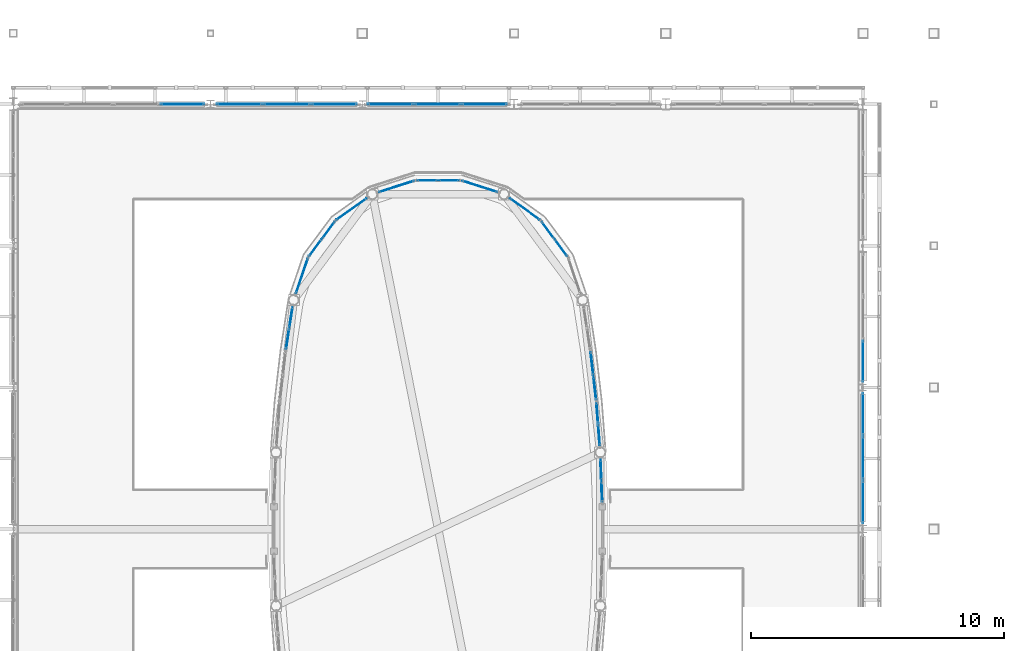
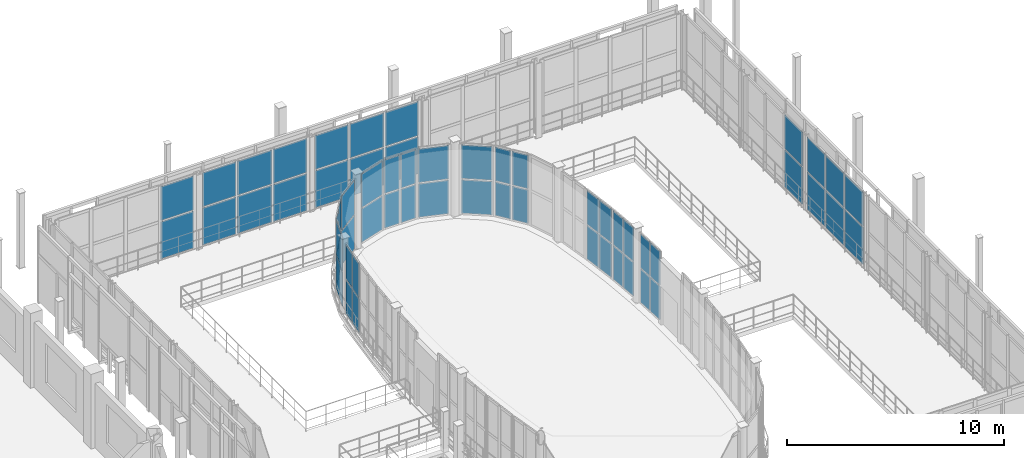
# One storey, part 83 of 121: 60 plates, 17 elements without a shape of their own.
"""IFC4 building model written with IfcOpenShell, lengths in metres."""

from ifc_helpers import new_model, si_unit, direction, frame, origin, origin_2d, place, context, subcontext, project, spatial, rectangle, extrude, material, layer, layer_set, type_object, element, aggregate, save


model = new_model("IFC4")

# Units and contexts
model_context = context("Model", 3, precision=1e-05, world=origin(), true_north=direction((0.0, 1.0)))
body_context = subcontext(model_context, "Body", "Model", "MODEL_VIEW")
ifc_project = project(units=[si_unit("LENGTHUNIT", "METRE"), si_unit("AREAUNIT", "SQUARE_METRE"), si_unit("VOLUMEUNIT", "CUBIC_METRE"), si_unit("PLANEANGLEUNIT", "RADIAN"), si_unit("MASSUNIT", "GRAM", prefix="KILO")], contexts=[model_context])

# Site, building, storey
site_placement = place(None, origin())
site = spatial("IfcSite", under=ifc_project, at=site_placement, CompositionType="ELEMENT")
building_placement = place(site_placement, origin())
building = spatial("IfcBuilding", under=site, at=building_placement, Name="Vinh Khe Railworks Police Headquarters", CompositionType="ELEMENT")
storey_placement = place(building_placement, frame((0.0, 0.0, 4.800048828125)))
storey = spatial("IfcBuildingStorey", under=building, at=storey_placement, Name="L01", CompositionType="ELEMENT", Elevation=4.800048828125)

# Curtain wall, plates
ifc_material_1 = material(Name="Anodised aluminium and acoustic laminated glass", Category="aluminium")
ifc_layer_1 = layer(ifc_material_1, 0.159912109375)
ifc_layer_set_1 = layer_set([ifc_layer_1], Name="Anodised aluminium and acoustic laminated glass")
curtain_wall_type_1 = type_object("IfcCurtainWallType", Name="CW-DRUM-CHORD", PredefinedType="USERDEFINED", material=ifc_layer_set_1)
curtain_wall_1_placement = place(storey_placement, origin())
curtain_wall_1 = element("IfcCurtainWall", 1, at=curtain_wall_1_placement, inside=storey, type_object=curtain_wall_type_1, Name="Elliptical Command Drum Glazing L01 Chord 6", ObjectType="DRUM FACADE GLAZING", PredefinedType="USERDEFINED")
ifc_material_2 = material(Name="Acoustic laminated solar-control glass", Category="glass")
ifc_layer_2 = layer(ifc_material_2, 0.031982421875)
ifc_layer_set_2 = layer_set([ifc_layer_2], Name="Acoustic laminated solar-control glass")
plate_type_1 = type_object("IfcPlateType", Name="PAN-DRUM-32", PredefinedType="CURTAIN_PANEL", material=ifc_layer_set_2)
plate_1_placement = place(storey_placement, frame((49.67236328125, 43.476806640625, 0.06494140625), z_axis=(0.0, 0.0, 1.0), x_axis=(-0.038511887338, 0.99925814209, 0.0)))
plate_1 = element("IfcPlate", 2, at=plate_1_placement, type_object=plate_type_1, Name="CW-02 panel 1.1", PredefinedType="CURTAIN_PANEL", context=body_context, shape_type="SweptSolid", body=[
    extrude(rectangle(XDim=0.802001953125, YDim=0.031982421875, at=origin_2d()), origin(), (0.0, 0.0, 1.0), 1.887451171875),
])
plate_2_placement = place(storey_placement, frame((49.67236328125, 43.476806640625, 2.017578125), z_axis=(0.0, 0.0, 1.0), x_axis=(-0.038511887338, 0.99925814209, 0.0)))
plate_2 = element("IfcPlate", 3, at=plate_2_placement, type_object=plate_type_1, Name="CW-02 panel 1.2", PredefinedType="CURTAIN_PANEL", context=body_context, shape_type="SweptSolid", body=[
    extrude(rectangle(XDim=0.802001953125, YDim=0.031982421875, at=origin_2d()), origin(), (0.0, 0.0, 1.0), 1.887451171875),
])
plate_3_placement = place(storey_placement, frame((49.638916015625, 44.34326171875, 0.06494140625), z_axis=(0.0, 0.0, 1.0), x_axis=(-0.038511887338, 0.99925814209, 0.0)))
plate_3 = element("IfcPlate", 4, at=plate_3_placement, type_object=plate_type_1, Name="CW-02 panel 2.1", PredefinedType="CURTAIN_PANEL", context=body_context, shape_type="SweptSolid", body=[
    extrude(rectangle(XDim=0.802001953125, YDim=0.031982421875, at=origin_2d()), origin(), (0.0, 0.0, 1.0), 1.887451171875),
])
plate_4_placement = place(storey_placement, frame((49.638916015625, 44.34326171875, 2.017578125), z_axis=(0.0, 0.0, 1.0), x_axis=(-0.038511887338, 0.99925814209, 0.0)))
plate_4 = element("IfcPlate", 5, at=plate_4_placement, type_object=plate_type_1, Name="CW-02 panel 2.2", PredefinedType="CURTAIN_PANEL", context=body_context, shape_type="SweptSolid", body=[
    extrude(rectangle(XDim=0.802001953125, YDim=0.031982421875, at=origin_2d()), origin(), (0.0, 0.0, 1.0), 1.887451171875),
])
aggregate(curtain_wall_1, [plate_1, plate_2, plate_3, plate_4])

curtain_wall_2_placement = place(storey_placement, origin())
curtain_wall_2 = element("IfcCurtainWall", 6, at=curtain_wall_2_placement, inside=storey, type_object=curtain_wall_type_1, Name="Elliptical Command Drum Glazing L01 Chord 7", ObjectType="DRUM FACADE GLAZING", PredefinedType="USERDEFINED")
plate_5_placement = place(storey_placement, frame((49.559326171875, 45.71923828125, 0.06494140625), z_axis=(0.0, 0.0, 1.0), x_axis=(-0.076971908223, 0.997033261905, 0.0)))
plate_5 = element("IfcPlate", 7, at=plate_5_placement, type_object=plate_type_1, Name="CW-02 panel 1.1", PredefinedType="CURTAIN_PANEL", context=body_context, shape_type="SweptSolid", body=[
    extrude(rectangle(XDim=0.802001953125, YDim=0.031982421875, at=origin_2d()), origin(), (0.0, 0.0, 1.0), 1.887451171875),
])
plate_6_placement = place(storey_placement, frame((49.559326171875, 45.71923828125, 2.017578125), z_axis=(0.0, 0.0, 1.0), x_axis=(-0.076971908223, 0.997033261905, 0.0)))
plate_6 = element("IfcPlate", 8, at=plate_6_placement, type_object=plate_type_1, Name="CW-02 panel 1.2", PredefinedType="CURTAIN_PANEL", context=body_context, shape_type="SweptSolid", body=[
    extrude(rectangle(XDim=0.802001953125, YDim=0.031982421875, at=origin_2d()), origin(), (0.0, 0.0, 1.0), 1.887451171875),
])
plate_7_placement = place(storey_placement, frame((49.49267578125, 46.583740234375, 0.06494140625), z_axis=(0.0, 0.0, 1.0), x_axis=(-0.076971908223, 0.997033261905, 0.0)))
plate_7 = element("IfcPlate", 9, at=plate_7_placement, type_object=plate_type_1, Name="CW-02 panel 2.1", PredefinedType="CURTAIN_PANEL", context=body_context, shape_type="SweptSolid", body=[
    extrude(rectangle(XDim=0.802001953125, YDim=0.031982421875, at=origin_2d()), origin(), (0.0, 0.0, 1.0), 1.887451171875),
])
plate_8_placement = place(storey_placement, frame((49.49267578125, 46.583740234375, 2.017578125), z_axis=(0.0, 0.0, 1.0), x_axis=(-0.076971908223, 0.997033261905, 0.0)))
plate_8 = element("IfcPlate", 10, at=plate_8_placement, type_object=plate_type_1, Name="CW-02 panel 2.2", PredefinedType="CURTAIN_PANEL", context=body_context, shape_type="SweptSolid", body=[
    extrude(rectangle(XDim=0.802001953125, YDim=0.031982421875, at=origin_2d()), origin(), (0.0, 0.0, 1.0), 1.887451171875),
])
aggregate(curtain_wall_2, [plate_5, plate_6, plate_7, plate_8])

curtain_wall_3_placement = place(storey_placement, origin())
curtain_wall_3 = element("IfcCurtainWall", 11, at=curtain_wall_3_placement, inside=storey, type_object=curtain_wall_type_1, Name="Elliptical Command Drum Glazing L01 Chord 8", ObjectType="DRUM FACADE GLAZING", PredefinedType="USERDEFINED")
plate_9_placement = place(storey_placement, frame((49.396484375, 47.56689453125, 0.06494140625), z_axis=(0.0, 0.0, 1.0), x_axis=(-0.115317737498, 0.993328656296, 0.0)))
plate_9 = element("IfcPlate", 12, at=plate_9_placement, type_object=plate_type_1, Name="CW-02 panel 1.1", PredefinedType="CURTAIN_PANEL", context=body_context, shape_type="SweptSolid", body=[
    extrude(rectangle(XDim=0.913818359375, YDim=0.031982421875, at=origin_2d()), origin(), (0.0, 0.0, 1.0), 1.887451171875),
])
plate_10_placement = place(storey_placement, frame((49.396484375, 47.56689453125, 2.017578125), z_axis=(0.0, 0.0, 1.0), x_axis=(-0.115317737498, 0.993328656296, 0.0)))
plate_10 = element("IfcPlate", 13, at=plate_10_placement, type_object=plate_type_1, Name="CW-02 panel 1.2", PredefinedType="CURTAIN_PANEL", context=body_context, shape_type="SweptSolid", body=[
    extrude(rectangle(XDim=0.913818359375, YDim=0.031982421875, at=origin_2d()), origin(), (0.0, 0.0, 1.0), 1.887451171875),
])
plate_11_placement = place(storey_placement, frame((49.28369140625, 48.5390625, 0.06494140625), z_axis=(0.0, 0.0, 1.0), x_axis=(-0.115317737498, 0.993328656296, 0.0)))
plate_11 = element("IfcPlate", 14, at=plate_11_placement, type_object=plate_type_1, Name="CW-02 panel 2.1", PredefinedType="CURTAIN_PANEL", context=body_context, shape_type="SweptSolid", body=[
    extrude(rectangle(XDim=0.913818359375, YDim=0.031982421875, at=origin_2d()), origin(), (0.0, 0.0, 1.0), 1.887451171875),
])
plate_12_placement = place(storey_placement, frame((49.28369140625, 48.5390625, 2.017578125), z_axis=(0.0, 0.0, 1.0), x_axis=(-0.115317737498, 0.993328656296, 0.0)))
plate_12 = element("IfcPlate", 15, at=plate_12_placement, type_object=plate_type_1, Name="CW-02 panel 2.2", PredefinedType="CURTAIN_PANEL", context=body_context, shape_type="SweptSolid", body=[
    extrude(rectangle(XDim=0.913818359375, YDim=0.031982421875, at=origin_2d()), origin(), (0.0, 0.0, 1.0), 1.887451171875),
])
aggregate(curtain_wall_3, [plate_9, plate_10, plate_11, plate_12])

curtain_wall_4_placement = place(storey_placement, origin())
curtain_wall_4 = element("IfcCurtainWall", 16, at=curtain_wall_4_placement, inside=storey, type_object=curtain_wall_type_1, Name="Elliptical Command Drum Glazing L01 Chord 11", ObjectType="DRUM FACADE GLAZING", PredefinedType="USERDEFINED")
plate_13_placement = place(storey_placement, frame((48.056884765625, 53.126708984375, 0.06494140625), z_axis=(0.0, 0.0, 1.0), x_axis=(-0.596528425784, 0.802591949394, 0.0)))
plate_13 = element("IfcPlate", 17, at=plate_13_placement, type_object=plate_type_1, Name="CW-02 panel 1.1", PredefinedType="CURTAIN_PANEL", context=body_context, shape_type="SweptSolid", body=[
    extrude(rectangle(XDim=0.799560546875, YDim=0.031982421875, at=origin_2d()), origin(), (0.0, 0.0, 1.0), 1.887451171875),
])
plate_14_placement = place(storey_placement, frame((48.056884765625, 53.126708984375, 2.017578125), z_axis=(0.0, 0.0, 1.0), x_axis=(-0.596528425784, 0.802591949394, 0.0)))
plate_14 = element("IfcPlate", 18, at=plate_14_placement, type_object=plate_type_1, Name="CW-02 panel 1.2", PredefinedType="CURTAIN_PANEL", context=body_context, shape_type="SweptSolid", body=[
    extrude(rectangle(XDim=0.799560546875, YDim=0.031982421875, at=origin_2d()), origin(), (0.0, 0.0, 1.0), 1.887451171875),
])
plate_15_placement = place(storey_placement, frame((47.541259765625, 53.820556640625, 0.06494140625), z_axis=(0.0, 0.0, 1.0), x_axis=(-0.596528425784, 0.802591949394, 0.0)))
plate_15 = element("IfcPlate", 19, at=plate_15_placement, type_object=plate_type_1, Name="CW-02 panel 2.1", PredefinedType="CURTAIN_PANEL", context=body_context, shape_type="SweptSolid", body=[
    extrude(rectangle(XDim=0.799560546875, YDim=0.031982421875, at=origin_2d()), origin(), (0.0, 0.0, 1.0), 1.887451171875),
])
plate_16_placement = place(storey_placement, frame((47.541259765625, 53.820556640625, 2.017578125), z_axis=(0.0, 0.0, 1.0), x_axis=(-0.596528425784, 0.802591949394, 0.0)))
plate_16 = element("IfcPlate", 20, at=plate_16_placement, type_object=plate_type_1, Name="CW-02 panel 2.2", PredefinedType="CURTAIN_PANEL", context=body_context, shape_type="SweptSolid", body=[
    extrude(rectangle(XDim=0.799560546875, YDim=0.031982421875, at=origin_2d()), origin(), (0.0, 0.0, 1.0), 1.887451171875),
])
aggregate(curtain_wall_4, [plate_13, plate_14, plate_15, plate_16])

curtain_wall_5_placement = place(storey_placement, origin())
curtain_wall_5 = element("IfcCurtainWall", 21, at=curtain_wall_5_placement, inside=storey, type_object=curtain_wall_type_1, Name="Elliptical Command Drum Glazing L01 Chord 12", ObjectType="DRUM FACADE GLAZING", PredefinedType="USERDEFINED")
plate_17_placement = place(storey_placement, frame((46.625244140625, 54.650634765625, 0.06494140625), z_axis=(0.0, 0.0, 1.0), x_axis=(-0.813248377558, 0.581916726344, 0.0)))
plate_17 = element("IfcPlate", 22, at=plate_17_placement, type_object=plate_type_1, Name="CW-02 panel 1.1", PredefinedType="CURTAIN_PANEL", context=body_context, shape_type="SweptSolid", body=[
    extrude(rectangle(XDim=1.440673828125, YDim=0.031982421875, at=origin_2d()), origin(), (0.0, 0.0, 1.0), 1.887451171875),
])
plate_18_placement = place(storey_placement, frame((46.625244140625, 54.650634765625, 2.017578125), z_axis=(0.0, 0.0, 1.0), x_axis=(-0.813248377558, 0.581916726344, 0.0)))
plate_18 = element("IfcPlate", 23, at=plate_18_placement, type_object=plate_type_1, Name="CW-02 panel 1.2", PredefinedType="CURTAIN_PANEL", context=body_context, shape_type="SweptSolid", body=[
    extrude(rectangle(XDim=1.440673828125, YDim=0.031982421875, at=origin_2d()), origin(), (0.0, 0.0, 1.0), 1.887451171875),
])
aggregate(curtain_wall_5, [plate_17, plate_18])

curtain_wall_6_placement = place(storey_placement, origin())
curtain_wall_6 = element("IfcCurtainWall", 24, at=curtain_wall_6_placement, inside=storey, type_object=curtain_wall_type_1, Name="Elliptical Command Drum Glazing L01 Chord 13", ObjectType="DRUM FACADE GLAZING", PredefinedType="USERDEFINED")
plate_19_placement = place(storey_placement, frame((44.8447265625, 55.545654296875, 0.06494140625), z_axis=(0.0, 0.0, 1.0), x_axis=(-0.952167898055, 0.305575348994, 0.0)))
plate_19 = element("IfcPlate", 25, at=plate_19_placement, type_object=plate_type_1, Name="CW-02 panel 1.1", PredefinedType="CURTAIN_PANEL", context=body_context, shape_type="SweptSolid", body=[
    extrude(rectangle(XDim=1.440673828125, YDim=0.031982421875, at=origin_2d()), origin(), (0.0, 0.0, 1.0), 1.887451171875),
])
plate_20_placement = place(storey_placement, frame((44.8447265625, 55.545654296875, 2.017578125), z_axis=(0.0, 0.0, 1.0), x_axis=(-0.952167898055, 0.305575348994, 0.0)))
plate_20 = element("IfcPlate", 26, at=plate_20_placement, type_object=plate_type_1, Name="CW-02 panel 1.2", PredefinedType="CURTAIN_PANEL", context=body_context, shape_type="SweptSolid", body=[
    extrude(rectangle(XDim=1.440673828125, YDim=0.031982421875, at=origin_2d()), origin(), (0.0, 0.0, 1.0), 1.887451171875),
])
aggregate(curtain_wall_6, [plate_19, plate_20])

curtain_wall_7_placement = place(storey_placement, origin())
curtain_wall_7 = element("IfcCurtainWall", 27, at=curtain_wall_7_placement, inside=storey, type_object=curtain_wall_type_1, Name="Elliptical Command Drum Glazing L01 Chord 14", ObjectType="DRUM FACADE GLAZING", PredefinedType="USERDEFINED")
plate_21_placement = place(storey_placement, frame((43.63232421875, 55.78564453125, 0.06494140625), z_axis=(0.0, 0.0, 1.0), x_axis=(-1.0, 0.0, 0.0)))
plate_21 = element("IfcPlate", 28, at=plate_21_placement, type_object=plate_type_1, Name="CW-02 panel 1.1", PredefinedType="CURTAIN_PANEL", context=body_context, shape_type="SweptSolid", body=[
    extrude(rectangle(XDim=0.799560546875, YDim=0.031982421875, at=origin_2d()), origin(), (0.0, 0.0, 1.0), 1.887451171875),
])
plate_22_placement = place(storey_placement, frame((43.63232421875, 55.78564453125, 2.017578125), z_axis=(0.0, 0.0, 1.0), x_axis=(-1.0, 0.0, 0.0)))
plate_22 = element("IfcPlate", 29, at=plate_22_placement, type_object=plate_type_1, Name="CW-02 panel 1.2", PredefinedType="CURTAIN_PANEL", context=body_context, shape_type="SweptSolid", body=[
    extrude(rectangle(XDim=0.799560546875, YDim=0.031982421875, at=origin_2d()), origin(), (0.0, 0.0, 1.0), 1.887451171875),
])
plate_23_placement = place(storey_placement, frame((42.767822265625, 55.78564453125, 0.06494140625), z_axis=(0.0, 0.0, 1.0), x_axis=(-1.0, 0.0, 0.0)))
plate_23 = element("IfcPlate", 30, at=plate_23_placement, type_object=plate_type_1, Name="CW-02 panel 2.1", PredefinedType="CURTAIN_PANEL", context=body_context, shape_type="SweptSolid", body=[
    extrude(rectangle(XDim=0.799560546875, YDim=0.031982421875, at=origin_2d()), origin(), (0.0, 0.0, 1.0), 1.887451171875),
])
plate_24_placement = place(storey_placement, frame((42.767822265625, 55.78564453125, 2.017578125), z_axis=(0.0, 0.0, 1.0), x_axis=(-1.0, 0.0, 0.0)))
plate_24 = element("IfcPlate", 31, at=plate_24_placement, type_object=plate_type_1, Name="CW-02 panel 2.2", PredefinedType="CURTAIN_PANEL", context=body_context, shape_type="SweptSolid", body=[
    extrude(rectangle(XDim=0.799560546875, YDim=0.031982421875, at=origin_2d()), origin(), (0.0, 0.0, 1.0), 1.887451171875),
])
aggregate(curtain_wall_7, [plate_21, plate_22, plate_23, plate_24])

curtain_wall_8_placement = place(storey_placement, origin())
curtain_wall_8 = element("IfcCurtainWall", 32, at=curtain_wall_8_placement, inside=storey, type_object=curtain_wall_type_1, Name="Elliptical Command Drum Glazing L01 Chord 15", ObjectType="DRUM FACADE GLAZING", PredefinedType="USERDEFINED")
plate_25_placement = place(storey_placement, frame((41.55517578125, 55.545654296875, 0.06494140625), z_axis=(0.0, 0.0, 1.0), x_axis=(-0.952167898055, -0.305575348994, 0.0)))
plate_25 = element("IfcPlate", 33, at=plate_25_placement, type_object=plate_type_1, Name="CW-02 panel 1.1", PredefinedType="CURTAIN_PANEL", context=body_context, shape_type="SweptSolid", body=[
    extrude(rectangle(XDim=1.440673828125, YDim=0.031982421875, at=origin_2d()), origin(), (0.0, 0.0, 1.0), 1.887451171875),
])
plate_26_placement = place(storey_placement, frame((41.55517578125, 55.545654296875, 2.017578125), z_axis=(0.0, 0.0, 1.0), x_axis=(-0.952167898055, -0.305575348994, 0.0)))
plate_26 = element("IfcPlate", 34, at=plate_26_placement, type_object=plate_type_1, Name="CW-02 panel 1.2", PredefinedType="CURTAIN_PANEL", context=body_context, shape_type="SweptSolid", body=[
    extrude(rectangle(XDim=1.440673828125, YDim=0.031982421875, at=origin_2d()), origin(), (0.0, 0.0, 1.0), 1.887451171875),
])
aggregate(curtain_wall_8, [plate_25, plate_26])

curtain_wall_9_placement = place(storey_placement, origin())
curtain_wall_9 = element("IfcCurtainWall", 35, at=curtain_wall_9_placement, inside=storey, type_object=curtain_wall_type_1, Name="Elliptical Command Drum Glazing L01 Chord 16", ObjectType="DRUM FACADE GLAZING", PredefinedType="USERDEFINED")
plate_27_placement = place(storey_placement, frame((39.774658203125, 54.650634765625, 0.06494140625), z_axis=(0.0, 0.0, 1.0), x_axis=(-0.813248377558, -0.581916726344, 0.0)))
plate_27 = element("IfcPlate", 36, at=plate_27_placement, type_object=plate_type_1, Name="CW-02 panel 1.1", PredefinedType="CURTAIN_PANEL", context=body_context, shape_type="SweptSolid", body=[
    extrude(rectangle(XDim=1.440673828125, YDim=0.031982421875, at=origin_2d()), origin(), (0.0, 0.0, 1.0), 1.887451171875),
])
plate_28_placement = place(storey_placement, frame((39.774658203125, 54.650634765625, 2.017578125), z_axis=(0.0, 0.0, 1.0), x_axis=(-0.813248377558, -0.581916726344, 0.0)))
plate_28 = element("IfcPlate", 37, at=plate_28_placement, type_object=plate_type_1, Name="CW-02 panel 1.2", PredefinedType="CURTAIN_PANEL", context=body_context, shape_type="SweptSolid", body=[
    extrude(rectangle(XDim=1.440673828125, YDim=0.031982421875, at=origin_2d()), origin(), (0.0, 0.0, 1.0), 1.887451171875),
])
aggregate(curtain_wall_9, [plate_27, plate_28])

curtain_wall_10_placement = place(storey_placement, origin())
curtain_wall_10 = element("IfcCurtainWall", 38, at=curtain_wall_10_placement, inside=storey, type_object=curtain_wall_type_1, Name="Elliptical Command Drum Glazing L01 Chord 17", ObjectType="DRUM FACADE GLAZING", PredefinedType="USERDEFINED")
plate_29_placement = place(storey_placement, frame((38.85888671875, 53.820556640625, 0.06494140625), z_axis=(0.0, 0.0, 1.0), x_axis=(-0.596528425784, -0.802591949394, 0.0)))
plate_29 = element("IfcPlate", 39, at=plate_29_placement, type_object=plate_type_1, Name="CW-02 panel 1.1", PredefinedType="CURTAIN_PANEL", context=body_context, shape_type="SweptSolid", body=[
    extrude(rectangle(XDim=0.799560546875, YDim=0.031982421875, at=origin_2d()), origin(), (0.0, 0.0, 1.0), 1.887451171875),
])
plate_30_placement = place(storey_placement, frame((38.85888671875, 53.820556640625, 2.017578125), z_axis=(0.0, 0.0, 1.0), x_axis=(-0.596528425784, -0.802591949394, 0.0)))
plate_30 = element("IfcPlate", 40, at=plate_30_placement, type_object=plate_type_1, Name="CW-02 panel 1.2", PredefinedType="CURTAIN_PANEL", context=body_context, shape_type="SweptSolid", body=[
    extrude(rectangle(XDim=0.799560546875, YDim=0.031982421875, at=origin_2d()), origin(), (0.0, 0.0, 1.0), 1.887451171875),
])
plate_31_placement = place(storey_placement, frame((38.34326171875, 53.126708984375, 0.06494140625), z_axis=(0.0, 0.0, 1.0), x_axis=(-0.596528425784, -0.802591949394, 0.0)))
plate_31 = element("IfcPlate", 41, at=plate_31_placement, type_object=plate_type_1, Name="CW-02 panel 2.1", PredefinedType="CURTAIN_PANEL", context=body_context, shape_type="SweptSolid", body=[
    extrude(rectangle(XDim=0.799560546875, YDim=0.031982421875, at=origin_2d()), origin(), (0.0, 0.0, 1.0), 1.887451171875),
])
plate_32_placement = place(storey_placement, frame((38.34326171875, 53.126708984375, 2.017578125), z_axis=(0.0, 0.0, 1.0), x_axis=(-0.596528425784, -0.802591949394, 0.0)))
plate_32 = element("IfcPlate", 42, at=plate_32_placement, type_object=plate_type_1, Name="CW-02 panel 2.2", PredefinedType="CURTAIN_PANEL", context=body_context, shape_type="SweptSolid", body=[
    extrude(rectangle(XDim=0.799560546875, YDim=0.031982421875, at=origin_2d()), origin(), (0.0, 0.0, 1.0), 1.887451171875),
])
aggregate(curtain_wall_10, [plate_29, plate_30, plate_31, plate_32])

curtain_wall_11_placement = place(storey_placement, origin())
curtain_wall_11 = element("IfcCurtainWall", 43, at=curtain_wall_11_placement, inside=storey, type_object=curtain_wall_type_1, Name="Elliptical Command Drum Glazing L01 Chord 18", ObjectType="DRUM FACADE GLAZING", PredefinedType="USERDEFINED")
plate_33_placement = place(storey_placement, frame((37.8125, 52.010498046875, 0.06494140625), z_axis=(0.0, 0.0, 1.0), x_axis=(-0.322750407381, -0.946484112141, 0.0)))
plate_33 = element("IfcPlate", 44, at=plate_33_placement, type_object=plate_type_1, Name="CW-02 panel 1.1", PredefinedType="CURTAIN_PANEL", context=body_context, shape_type="SweptSolid", body=[
    extrude(rectangle(XDim=1.440673828125, YDim=0.031982421875, at=origin_2d()), origin(), (0.0, 0.0, 1.0), 1.887451171875),
])
plate_34_placement = place(storey_placement, frame((37.8125, 52.010498046875, 2.017578125), z_axis=(0.0, 0.0, 1.0), x_axis=(-0.322750407381, -0.946484112141, 0.0)))
plate_34 = element("IfcPlate", 45, at=plate_34_placement, type_object=plate_type_1, Name="CW-02 panel 1.2", PredefinedType="CURTAIN_PANEL", context=body_context, shape_type="SweptSolid", body=[
    extrude(rectangle(XDim=1.440673828125, YDim=0.031982421875, at=origin_2d()), origin(), (0.0, 0.0, 1.0), 1.887451171875),
])
aggregate(curtain_wall_11, [plate_33, plate_34])

curtain_wall_12_placement = place(storey_placement, origin())
curtain_wall_12 = element("IfcCurtainWall", 46, at=curtain_wall_12_placement, inside=storey, type_object=curtain_wall_type_1, Name="Elliptical Command Drum Glazing L01 Chord 19", ObjectType="DRUM FACADE GLAZING", PredefinedType="USERDEFINED")
plate_35_placement = place(storey_placement, frame((37.381103515625, 50.374755859375, 0.06494140625), z_axis=(0.0, 0.0, 1.0), x_axis=(-0.153489573502, -0.988150267331, 0.0)))
plate_35 = element("IfcPlate", 47, at=plate_35_placement, type_object=plate_type_1, Name="CW-02 panel 1.1", PredefinedType="CURTAIN_PANEL", context=body_context, shape_type="SweptSolid", body=[
    extrude(rectangle(XDim=0.802001953125, YDim=0.031982421875, at=origin_2d()), origin(), (0.0, 0.0, 1.0), 1.887451171875),
])
plate_36_placement = place(storey_placement, frame((37.381103515625, 50.374755859375, 2.017578125), z_axis=(0.0, 0.0, 1.0), x_axis=(-0.153489573502, -0.988150267331, 0.0)))
plate_36 = element("IfcPlate", 48, at=plate_36_placement, type_object=plate_type_1, Name="CW-02 panel 1.2", PredefinedType="CURTAIN_PANEL", context=body_context, shape_type="SweptSolid", body=[
    extrude(rectangle(XDim=0.802001953125, YDim=0.031982421875, at=origin_2d()), origin(), (0.0, 0.0, 1.0), 1.887451171875),
])
plate_37_placement = place(storey_placement, frame((37.248046875, 49.51806640625, 0.06494140625), z_axis=(0.0, 0.0, 1.0), x_axis=(-0.153489573502, -0.988150267331, 0.0)))
plate_37 = element("IfcPlate", 49, at=plate_37_placement, type_object=plate_type_1, Name="CW-02 panel 2.1", PredefinedType="CURTAIN_PANEL", context=body_context, shape_type="SweptSolid", body=[
    extrude(rectangle(XDim=0.802001953125, YDim=0.031982421875, at=origin_2d()), origin(), (0.0, 0.0, 1.0), 1.887451171875),
])
plate_38_placement = place(storey_placement, frame((37.248046875, 49.51806640625, 2.017578125), z_axis=(0.0, 0.0, 1.0), x_axis=(-0.153489573502, -0.988150267331, 0.0)))
plate_38 = element("IfcPlate", 50, at=plate_38_placement, type_object=plate_type_1, Name="CW-02 panel 2.2", PredefinedType="CURTAIN_PANEL", context=body_context, shape_type="SweptSolid", body=[
    extrude(rectangle(XDim=0.802001953125, YDim=0.031982421875, at=origin_2d()), origin(), (0.0, 0.0, 1.0), 1.887451171875),
])
aggregate(curtain_wall_12, [plate_35, plate_36, plate_37, plate_38])

ifc_material_3 = material(Name="Anodised aluminium and low-iron glass", Category="aluminium")
ifc_layer_3 = layer(ifc_material_3, 0.179931640625)
ifc_layer_set_3 = layer_set([ifc_layer_3], Name="Anodised aluminium and low-iron glass")
curtain_wall_type_2 = type_object("IfcCurtainWallType", Name="CW-CUBE-UNIT", PredefinedType="USERDEFINED", material=ifc_layer_set_3)
curtain_wall_13_placement = place(storey_placement, origin())
curtain_wall_13 = element("IfcCurtainWall", 51, at=curtain_wall_13_placement, inside=storey, type_object=curtain_wall_type_2, Name="Entrance Hall Curtain Wall L01 N-1", ObjectType="UNITISED GLAZING", PredefinedType="USERDEFINED")
ifc_material_4 = material(Name="Low-iron laminated solar-control glass", Category="glass")
ifc_layer_4 = layer(ifc_material_4, 0.028076171875)
ifc_layer_set_4 = layer_set([ifc_layer_4], Name="Low-iron laminated solar-control glass")
plate_type_2 = type_object("IfcPlateType", Name="PAN-GLZ-28", PredefinedType="CURTAIN_PANEL", material=ifc_layer_set_4)
plate_39_placement = place(storey_placement, frame((33.091796875, 58.800048828125, 0.06982421875), z_axis=(0.0, 0.0, 1.0), x_axis=(1.0, 0.0, 0.0)))
plate_39 = element("IfcPlate", 52, at=plate_39_placement, type_object=plate_type_2, Name="CW-01 panel 4.1", PredefinedType="CURTAIN_PANEL", context=body_context, shape_type="SweptSolid", body=[
    extrude(rectangle(XDim=1.736328125, YDim=0.028076171875, at=origin_2d()), origin(), (0.0, 0.0, 1.0), 2.0791015625),
])
plate_40_placement = place(storey_placement, frame((33.091796875, 58.800048828125, 2.21923828125), z_axis=(0.0, 0.0, 1.0), x_axis=(1.0, 0.0, 0.0)))
plate_40 = element("IfcPlate", 53, at=plate_40_placement, type_object=plate_type_2, Name="CW-01 panel 4.2", PredefinedType="CURTAIN_PANEL", context=body_context, shape_type="SweptSolid", body=[
    extrude(rectangle(XDim=1.736328125, YDim=0.028076171875, at=origin_2d()), origin(), (0.0, 0.0, 1.0), 1.910888671875),
])
aggregate(curtain_wall_13, [plate_39, plate_40])

curtain_wall_14_placement = place(storey_placement, origin())
curtain_wall_14 = element("IfcCurtainWall", 54, at=curtain_wall_14_placement, inside=storey, type_object=curtain_wall_type_2, Name="Entrance Hall Curtain Wall L01 N-2", ObjectType="UNITISED GLAZING", PredefinedType="USERDEFINED")
plate_41_placement = place(storey_placement, frame((35.334228515625, 58.800048828125, 0.06982421875), z_axis=(0.0, 0.0, 1.0), x_axis=(1.0, 0.0, 0.0)))
plate_41 = element("IfcPlate", 55, at=plate_41_placement, type_object=plate_type_2, Name="CW-01 panel 1.1", PredefinedType="CURTAIN_PANEL", context=body_context, shape_type="SweptSolid", body=[
    extrude(rectangle(XDim=1.788330078125, YDim=0.028076171875, at=origin_2d()), origin(), (0.0, 0.0, 1.0), 2.0791015625),
])
plate_42_placement = place(storey_placement, frame((35.334228515625, 58.800048828125, 2.21923828125), z_axis=(0.0, 0.0, 1.0), x_axis=(1.0, 0.0, 0.0)))
plate_42 = element("IfcPlate", 56, at=plate_42_placement, type_object=plate_type_2, Name="CW-01 panel 1.2", PredefinedType="CURTAIN_PANEL", context=body_context, shape_type="SweptSolid", body=[
    extrude(rectangle(XDim=1.788330078125, YDim=0.028076171875, at=origin_2d()), origin(), (0.0, 0.0, 1.0), 1.910888671875),
])
plate_43_placement = place(storey_placement, frame((37.2099609375, 58.800048828125, 0.06982421875), z_axis=(0.0, 0.0, 1.0), x_axis=(1.0, 0.0, 0.0)))
plate_43 = element("IfcPlate", 57, at=plate_43_placement, type_object=plate_type_2, Name="CW-01 panel 2.1", PredefinedType="CURTAIN_PANEL", context=body_context, shape_type="SweptSolid", body=[
    extrude(rectangle(XDim=1.8232421875, YDim=0.028076171875, at=origin_2d()), origin(), (0.0, 0.0, 1.0), 2.0791015625),
])
plate_44_placement = place(storey_placement, frame((37.2099609375, 58.800048828125, 2.21923828125), z_axis=(0.0, 0.0, 1.0), x_axis=(1.0, 0.0, 0.0)))
plate_44 = element("IfcPlate", 58, at=plate_44_placement, type_object=plate_type_2, Name="CW-01 panel 2.2", PredefinedType="CURTAIN_PANEL", context=body_context, shape_type="SweptSolid", body=[
    extrude(rectangle(XDim=1.8232421875, YDim=0.028076171875, at=origin_2d()), origin(), (0.0, 0.0, 1.0), 1.910888671875),
])
plate_45_placement = place(storey_placement, frame((39.0859375, 58.800048828125, 0.06982421875), z_axis=(0.0, 0.0, 1.0), x_axis=(1.0, 0.0, 0.0)))
plate_45 = element("IfcPlate", 59, at=plate_45_placement, type_object=plate_type_2, Name="CW-01 panel 3.1", PredefinedType="CURTAIN_PANEL", context=body_context, shape_type="SweptSolid", body=[
    extrude(rectangle(XDim=1.788330078125, YDim=0.028076171875, at=origin_2d()), origin(), (0.0, 0.0, 1.0), 2.0791015625),
])
plate_46_placement = place(storey_placement, frame((39.0859375, 58.800048828125, 2.21923828125), z_axis=(0.0, 0.0, 1.0), x_axis=(1.0, 0.0, 0.0)))
plate_46 = element("IfcPlate", 60, at=plate_46_placement, type_object=plate_type_2, Name="CW-01 panel 3.2", PredefinedType="CURTAIN_PANEL", context=body_context, shape_type="SweptSolid", body=[
    extrude(rectangle(XDim=1.788330078125, YDim=0.028076171875, at=origin_2d()), origin(), (0.0, 0.0, 1.0), 1.910888671875),
])
aggregate(curtain_wall_14, [plate_41, plate_42, plate_43, plate_44, plate_45, plate_46])

curtain_wall_15_placement = place(storey_placement, origin())
curtain_wall_15 = element("IfcCurtainWall", 61, at=curtain_wall_15_placement, inside=storey, type_object=curtain_wall_type_2, Name="Entrance Hall Curtain Wall L01 N-3", ObjectType="UNITISED GLAZING", PredefinedType="USERDEFINED")
plate_47_placement = place(storey_placement, frame((41.306640625, 58.800048828125, 0.06982421875), z_axis=(0.0, 0.0, 1.0), x_axis=(1.0, 0.0, 0.0)))
plate_47 = element("IfcPlate", 62, at=plate_47_placement, type_object=plate_type_2, Name="CW-01 panel 1.1", PredefinedType="CURTAIN_PANEL", context=body_context, shape_type="SweptSolid", body=[
    extrude(rectangle(XDim=1.7734375, YDim=0.028076171875, at=origin_2d()), origin(), (0.0, 0.0, 1.0), 2.0791015625),
])
plate_48_placement = place(storey_placement, frame((41.306640625, 58.800048828125, 2.21923828125), z_axis=(0.0, 0.0, 1.0), x_axis=(1.0, 0.0, 0.0)))
plate_48 = element("IfcPlate", 63, at=plate_48_placement, type_object=plate_type_2, Name="CW-01 panel 1.2", PredefinedType="CURTAIN_PANEL", context=body_context, shape_type="SweptSolid", body=[
    extrude(rectangle(XDim=1.7734375, YDim=0.028076171875, at=origin_2d()), origin(), (0.0, 0.0, 1.0), 1.910888671875),
])
plate_49_placement = place(storey_placement, frame((43.16748046875, 58.800048828125, 0.06982421875), z_axis=(0.0, 0.0, 1.0), x_axis=(1.0, 0.0, 0.0)))
plate_49 = element("IfcPlate", 64, at=plate_49_placement, type_object=plate_type_2, Name="CW-01 panel 2.1", PredefinedType="CURTAIN_PANEL", context=body_context, shape_type="SweptSolid", body=[
    extrude(rectangle(XDim=1.808349609375, YDim=0.028076171875, at=origin_2d()), origin(), (0.0, 0.0, 1.0), 2.0791015625),
])
plate_50_placement = place(storey_placement, frame((43.16748046875, 58.800048828125, 2.21923828125), z_axis=(0.0, 0.0, 1.0), x_axis=(1.0, 0.0, 0.0)))
plate_50 = element("IfcPlate", 65, at=plate_50_placement, type_object=plate_type_2, Name="CW-01 panel 2.2", PredefinedType="CURTAIN_PANEL", context=body_context, shape_type="SweptSolid", body=[
    extrude(rectangle(XDim=1.808349609375, YDim=0.028076171875, at=origin_2d()), origin(), (0.0, 0.0, 1.0), 1.910888671875),
])
plate_51_placement = place(storey_placement, frame((45.0283203125, 58.800048828125, 0.06982421875), z_axis=(0.0, 0.0, 1.0), x_axis=(1.0, 0.0, 0.0)))
plate_51 = element("IfcPlate", 66, at=plate_51_placement, type_object=plate_type_2, Name="CW-01 panel 3.1", PredefinedType="CURTAIN_PANEL", context=body_context, shape_type="SweptSolid", body=[
    extrude(rectangle(XDim=1.7734375, YDim=0.028076171875, at=origin_2d()), origin(), (0.0, 0.0, 1.0), 2.0791015625),
])
plate_52_placement = place(storey_placement, frame((45.0283203125, 58.800048828125, 2.21923828125), z_axis=(0.0, 0.0, 1.0), x_axis=(1.0, 0.0, 0.0)))
plate_52 = element("IfcPlate", 67, at=plate_52_placement, type_object=plate_type_2, Name="CW-01 panel 3.2", PredefinedType="CURTAIN_PANEL", context=body_context, shape_type="SweptSolid", body=[
    extrude(rectangle(XDim=1.7734375, YDim=0.028076171875, at=origin_2d()), origin(), (0.0, 0.0, 1.0), 1.910888671875),
])
aggregate(curtain_wall_15, [plate_47, plate_48, plate_49, plate_50, plate_51, plate_52])

curtain_wall_16_placement = place(storey_placement, origin())
curtain_wall_16 = element("IfcCurtainWall", 68, at=curtain_wall_16_placement, inside=storey, type_object=curtain_wall_type_2, Name="Entrance Hall Curtain Wall L01 E-4", ObjectType="UNITISED GLAZING", PredefinedType="USERDEFINED")
plate_53_placement = place(storey_placement, frame((60.0, 43.0673828125, 0.06982421875), z_axis=(0.0, 0.0, 1.0), x_axis=(0.0, 1.0, 0.0)))
plate_53 = element("IfcPlate", 69, at=plate_53_placement, type_object=plate_type_2, Name="CW-01 panel 1.1", PredefinedType="CURTAIN_PANEL", context=body_context, shape_type="SweptSolid", body=[
    extrude(rectangle(XDim=1.655029296875, YDim=0.028076171875, at=origin_2d()), origin(), (0.0, 0.0, 1.0), 2.0791015625),
])
plate_54_placement = place(storey_placement, frame((60.0, 43.0673828125, 2.21923828125), z_axis=(0.0, 0.0, 1.0), x_axis=(0.0, 1.0, 0.0)))
plate_54 = element("IfcPlate", 70, at=plate_54_placement, type_object=plate_type_2, Name="CW-01 panel 1.2", PredefinedType="CURTAIN_PANEL", context=body_context, shape_type="SweptSolid", body=[
    extrude(rectangle(XDim=1.655029296875, YDim=0.028076171875, at=origin_2d()), origin(), (0.0, 0.0, 1.0), 1.910888671875),
])
plate_55_placement = place(storey_placement, frame((60.0, 44.81005859375, 0.06982421875), z_axis=(0.0, 0.0, 1.0), x_axis=(0.0, 1.0, 0.0)))
plate_55 = element("IfcPlate", 71, at=plate_55_placement, type_object=plate_type_2, Name="CW-01 panel 2.1", PredefinedType="CURTAIN_PANEL", context=body_context, shape_type="SweptSolid", body=[
    extrude(rectangle(XDim=1.68994140625, YDim=0.028076171875, at=origin_2d()), origin(), (0.0, 0.0, 1.0), 2.0791015625),
])
plate_56_placement = place(storey_placement, frame((60.0, 44.81005859375, 2.21923828125), z_axis=(0.0, 0.0, 1.0), x_axis=(0.0, 1.0, 0.0)))
plate_56 = element("IfcPlate", 72, at=plate_56_placement, type_object=plate_type_2, Name="CW-01 panel 2.2", PredefinedType="CURTAIN_PANEL", context=body_context, shape_type="SweptSolid", body=[
    extrude(rectangle(XDim=1.68994140625, YDim=0.028076171875, at=origin_2d()), origin(), (0.0, 0.0, 1.0), 1.910888671875),
])
plate_57_placement = place(storey_placement, frame((60.0, 46.552490234375, 0.06982421875), z_axis=(0.0, 0.0, 1.0), x_axis=(0.0, 1.0, 0.0)))
plate_57 = element("IfcPlate", 73, at=plate_57_placement, type_object=plate_type_2, Name="CW-01 panel 3.1", PredefinedType="CURTAIN_PANEL", context=body_context, shape_type="SweptSolid", body=[
    extrude(rectangle(XDim=1.655029296875, YDim=0.028076171875, at=origin_2d()), origin(), (0.0, 0.0, 1.0), 2.0791015625),
])
plate_58_placement = place(storey_placement, frame((60.0, 46.552490234375, 2.21923828125), z_axis=(0.0, 0.0, 1.0), x_axis=(0.0, 1.0, 0.0)))
plate_58 = element("IfcPlate", 74, at=plate_58_placement, type_object=plate_type_2, Name="CW-01 panel 3.2", PredefinedType="CURTAIN_PANEL", context=body_context, shape_type="SweptSolid", body=[
    extrude(rectangle(XDim=1.655029296875, YDim=0.028076171875, at=origin_2d()), origin(), (0.0, 0.0, 1.0), 1.910888671875),
])
aggregate(curtain_wall_16, [plate_53, plate_54, plate_55, plate_56, plate_57, plate_58])

curtain_wall_17_placement = place(storey_placement, origin())
curtain_wall_17 = element("IfcCurtainWall", 75, at=curtain_wall_17_placement, inside=storey, type_object=curtain_wall_type_2, Name="Entrance Hall Curtain Wall L01 E-5", ObjectType="UNITISED GLAZING", PredefinedType="USERDEFINED")
plate_59_placement = place(storey_placement, frame((60.0, 48.631591796875, 0.06982421875), z_axis=(0.0, 0.0, 1.0), x_axis=(0.0, 1.0, 0.0)))
plate_59 = element("IfcPlate", 76, at=plate_59_placement, type_object=plate_type_2, Name="CW-01 panel 1.1", PredefinedType="CURTAIN_PANEL", context=body_context, shape_type="SweptSolid", body=[
    extrude(rectangle(XDim=1.623291015625, YDim=0.028076171875, at=origin_2d()), origin(), (0.0, 0.0, 1.0), 2.0791015625),
])
plate_60_placement = place(storey_placement, frame((60.0, 48.631591796875, 2.21923828125), z_axis=(0.0, 0.0, 1.0), x_axis=(0.0, 1.0, 0.0)))
plate_60 = element("IfcPlate", 77, at=plate_60_placement, type_object=plate_type_2, Name="CW-01 panel 1.2", PredefinedType="CURTAIN_PANEL", context=body_context, shape_type="SweptSolid", body=[
    extrude(rectangle(XDim=1.623291015625, YDim=0.028076171875, at=origin_2d()), origin(), (0.0, 0.0, 1.0), 1.910888671875),
])
aggregate(curtain_wall_17, [plate_59, plate_60])

save(model, "model.ifc")
